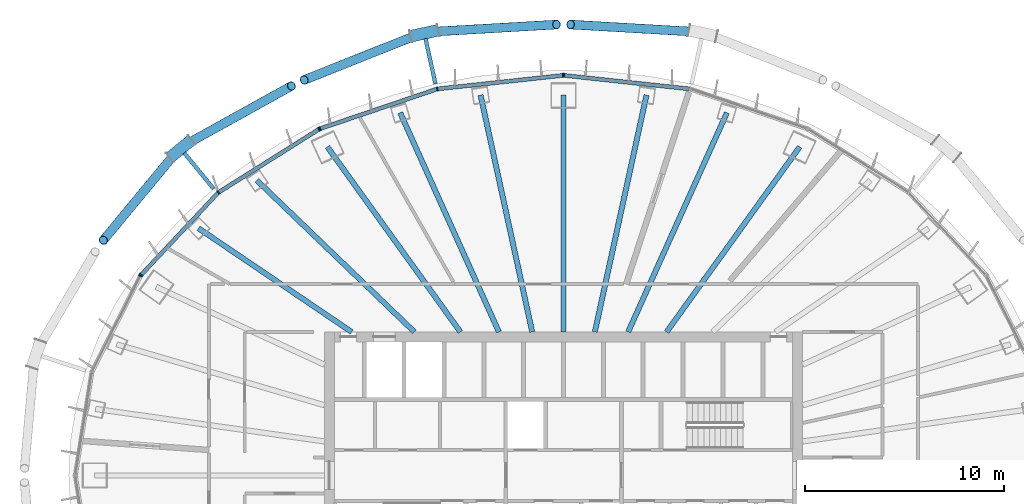
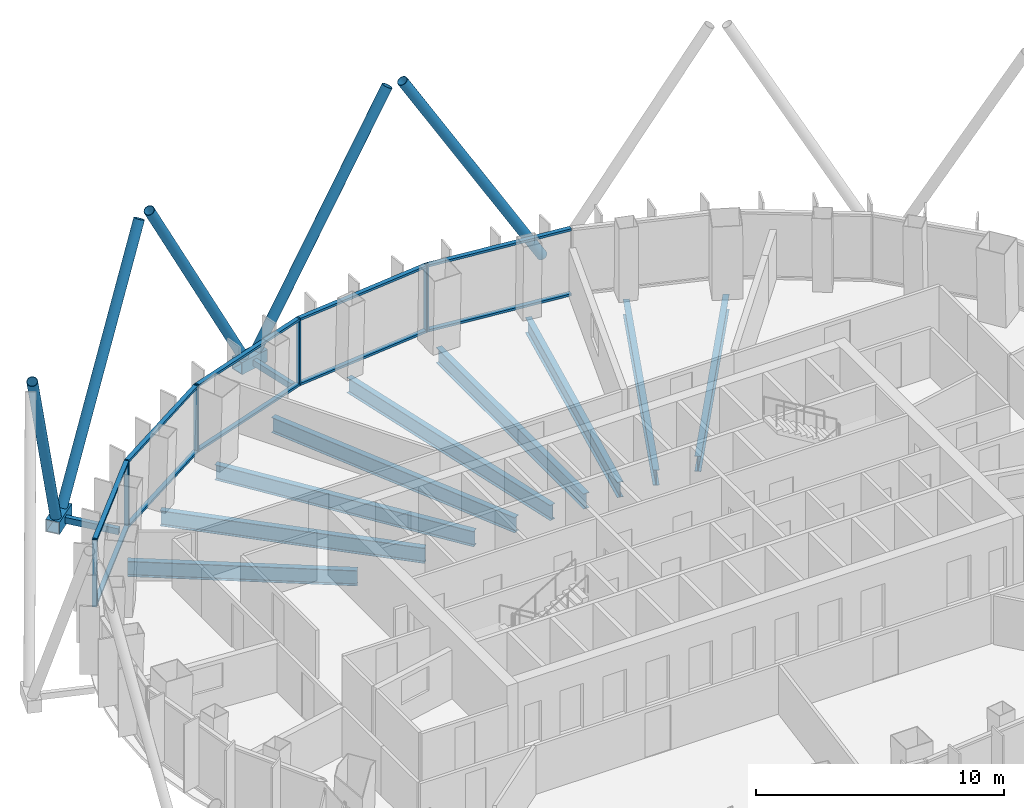
# One storey, part 5 of 18: 27 members, 9 beams, 4 elements without a shape of their own.
"""IFC4 building model written with IfcOpenShell, lengths in metres."""

from ifc_helpers import new_model, si_unit, direction, frame, origin, origin_2d, place, context, subcontext, project, spatial, rectangle, hollow_rectangle, hollow_circle, i_section, extrude, material, layer, layer_set, material_profile, profile_set, type_object, element, aggregate, save


model = new_model("IFC4")

# Units and contexts
model_context = context("Model", 3, precision=1e-05, world=origin(), true_north=direction((0.0, 1.0)))
body_context = subcontext(model_context, "Body", "Model", "MODEL_VIEW")
ifc_project = project(units=[si_unit("LENGTHUNIT", "METRE"), si_unit("AREAUNIT", "SQUARE_METRE"), si_unit("VOLUMEUNIT", "CUBIC_METRE"), si_unit("PLANEANGLEUNIT", "RADIAN"), si_unit("MASSUNIT", "GRAM", prefix="KILO")], contexts=[model_context])

# Site, building, storey
site_placement = place(None, origin())
site = spatial("IfcSite", under=ifc_project, at=site_placement, CompositionType="ELEMENT")
building_placement = place(site_placement, origin())
building = spatial("IfcBuilding", under=site, at=building_placement, Name="Siaravel Broadcast Tower", CompositionType="ELEMENT")
storey_placement = place(building_placement, frame((0.0, 0.0, 141.5)))
storey = spatial("IfcBuildingStorey", under=building, at=storey_placement, Name="L34", CompositionType="ELEMENT", Elevation=141.5)

# Beams
ifc_material_1 = material(Name="Steel S355", Category="steel")
ifc_material_profile_1 = material_profile(ifc_material_1, i_section(OverallWidth=0.26513671875, OverallDepth=0.75390625, WebThickness=0.0126953125, FlangeThickness=0.017578125, FilletRadius=0.0166015625, at=origin_2d()))
ifc_profile_set_1 = profile_set([ifc_material_profile_1], Name="Steel S355")
beam_type = type_object("IfcBeamType", Name="BM-UB 762x267x147", PredefinedType="BEAM", material=ifc_profile_set_1)
beam_1_placement = place(storey_placement, frame((11.852294921875, 16.488037109375, -0.52685546875), z_axis=(-0.58369058, -0.811976174, 0.0), x_axis=(0.811976174, -0.58369058, 0.0)))
element("IfcBeam", 1, at=beam_1_placement, inside=storey, type_object=beam_type, Name="Radial beam RB07", PredefinedType="BEAM", context=body_context, shape_type="SweptSolid", body=[
    extrude(i_section(OverallWidth=0.26513671875, OverallDepth=0.75390625, WebThickness=0.0126953125, FlangeThickness=0.017578125, FilletRadius=0.0166015625, at=origin_2d()), origin(), (0.0, 0.0, 1.0), 11.43896484375),
])
beam_2_placement = place(storey_placement, frame((8.200439453125, 18.202880859375, -0.52685546875), z_axis=(-0.410741495, -0.911751844, 0.0), x_axis=(0.911751844, -0.410741495, 0.0)))
element("IfcBeam", 2, at=beam_2_placement, inside=storey, type_object=beam_type, Name="Radial beam RB08", PredefinedType="BEAM", context=body_context, shape_type="SweptSolid", body=[
    extrude(i_section(OverallWidth=0.26513671875, OverallDepth=0.75390625, WebThickness=0.0126953125, FlangeThickness=0.017578125, FilletRadius=0.0166015625, at=origin_2d()), origin(), (0.0, 0.0, 1.0), 12.06787109375),
])
beam_3_placement = place(storey_placement, frame((4.165283203125, 19.08837890625, -0.52685546875), z_axis=(-0.213198415, -0.977008923, 0.0), x_axis=(0.977008923, -0.213198415, 0.0)))
element("IfcBeam", 3, at=beam_3_placement, inside=storey, type_object=beam_type, Name="Radial beam RB09", PredefinedType="BEAM", context=body_context, shape_type="SweptSolid", body=[
    extrude(i_section(OverallWidth=0.26513671875, OverallDepth=0.75390625, WebThickness=0.0126953125, FlangeThickness=0.017578125, FilletRadius=0.0166015625, at=origin_2d()), origin(), (0.0, 0.0, 1.0), 12.168212890625),
])
beam_4_placement = place(storey_placement, frame((0.0, 19.0869140625, -0.52685546875), z_axis=(0.0, -1.0, 0.0), x_axis=(1.0, 0.0, 0.0)))
element("IfcBeam", 4, at=beam_4_placement, inside=storey, type_object=beam_type, Name="Radial beam RB10", PredefinedType="BEAM", context=body_context, shape_type="SweptSolid", body=[
    extrude(i_section(OverallWidth=0.26513671875, OverallDepth=0.75390625, WebThickness=0.0126953125, FlangeThickness=0.017578125, FilletRadius=0.0166015625, at=origin_2d()), origin(), (0.0, 0.0, 1.0), 11.886962890625),
])
beam_5_placement = place(storey_placement, frame((-4.165283203125, 19.08837890625, -0.52685546875), z_axis=(0.213198415, -0.977008923, 0.0), x_axis=(0.977008923, 0.213198415, 0.0)))
element("IfcBeam", 5, at=beam_5_placement, inside=storey, type_object=beam_type, Name="Radial beam RB11", PredefinedType="BEAM", context=body_context, shape_type="SweptSolid", body=[
    extrude(i_section(OverallWidth=0.26513671875, OverallDepth=0.75390625, WebThickness=0.0126953125, FlangeThickness=0.017578125, FilletRadius=0.0166015625, at=origin_2d()), origin(), (0.0, 0.0, 1.0), 12.168212890625),
])
beam_6_placement = place(storey_placement, frame((-8.200439453125, 18.202880859375, -0.52685546875), z_axis=(0.410741495, -0.911751844, 0.0), x_axis=(0.911751844, 0.410741495, 0.0)))
element("IfcBeam", 6, at=beam_6_placement, inside=storey, type_object=beam_type, Name="Radial beam RB12", PredefinedType="BEAM", context=body_context, shape_type="SweptSolid", body=[
    extrude(i_section(OverallWidth=0.26513671875, OverallDepth=0.75390625, WebThickness=0.0126953125, FlangeThickness=0.017578125, FilletRadius=0.0166015625, at=origin_2d()), origin(), (0.0, 0.0, 1.0), 12.06787109375),
])
beam_7_placement = place(storey_placement, frame((-11.852294921875, 16.488037109375, -0.52685546875), z_axis=(0.58369058, -0.811976174, 0.0), x_axis=(0.811976174, 0.58369058, 0.0)))
element("IfcBeam", 7, at=beam_7_placement, inside=storey, type_object=beam_type, Name="Radial beam RB13", PredefinedType="BEAM", context=body_context, shape_type="SweptSolid", body=[
    extrude(i_section(OverallWidth=0.26513671875, OverallDepth=0.75390625, WebThickness=0.0126953125, FlangeThickness=0.017578125, FilletRadius=0.0166015625, at=origin_2d()), origin(), (0.0, 0.0, 1.0), 11.43896484375),
])
beam_8_placement = place(storey_placement, frame((-15.38818359375, 14.8046875, -0.52685546875), z_axis=(0.720630298, -0.693319532, 0.0), x_axis=(0.693319532, 0.720630298, 0.0)))
element("IfcBeam", 8, at=beam_8_placement, inside=storey, type_object=beam_type, Name="Radial beam RB14", PredefinedType="BEAM", context=body_context, shape_type="SweptSolid", body=[
    extrude(i_section(OverallWidth=0.26513671875, OverallDepth=0.75390625, WebThickness=0.0126953125, FlangeThickness=0.017578125, FilletRadius=0.0166015625, at=origin_2d()), origin(), (0.0, 0.0, 1.0), 10.968505859375),
])
beam_9_placement = place(storey_placement, frame((-18.3203125, 12.4033203125, -0.52685546875), z_axis=(0.828075469, -0.560616641, 0.0), x_axis=(0.560616641, 0.828075469, 0.0)))
element("IfcBeam", 9, at=beam_9_placement, inside=storey, type_object=beam_type, Name="Radial beam RB15", PredefinedType="BEAM", context=body_context, shape_type="SweptSolid", body=[
    extrude(i_section(OverallWidth=0.26513671875, OverallDepth=0.75390625, WebThickness=0.0126953125, FlangeThickness=0.017578125, FilletRadius=0.0166015625, at=origin_2d()), origin(), (0.0, 0.0, 1.0), 9.281494140625),
])

# Curtain wall, member
ifc_material_2 = material(Name="Aluminium 6063-T6", Category="aluminium")
ifc_layer = layer(ifc_material_2, 0.199951171875)
ifc_layer_set = layer_set([ifc_layer], Name="Aluminium 6063-T6")
curtain_wall_type = type_object("IfcCurtainWallType", Name="Unitised curtain wall, zone 2", PredefinedType="NOTDEFINED", material=ifc_layer_set)
curtain_wall_1_placement = place(storey_placement, origin())
curtain_wall_1 = element("IfcCurtainWall", 10, at=curtain_wall_1_placement, inside=storey, type_object=curtain_wall_type, Name="L34 Unitised curtain wall, zone 2 03", PredefinedType="NOTDEFINED")
ifc_material_profile_2 = material_profile(ifc_material_2, rectangle(XDim=0.199951171875, YDim=0.06494140625, at=origin_2d()))
ifc_profile_set_2 = profile_set([ifc_material_profile_2], Name="Aluminium 6063-T6")
member_type_1 = type_object("IfcMemberType", Name="CW-Z2 mullion", PredefinedType="MULLION", material=ifc_profile_set_2)
member_1_placement = place(storey_placement, frame((0.0322265625, 20.076171875, 0.0), z_axis=(0.0, 0.0, 1.0), x_axis=(-0.10721764, -0.994235575, 0.0)))
member_1 = element("IfcMember", 11, at=member_1_placement, type_object=member_type_1, Name="CW-Z2 mullion 3", PredefinedType="MULLION", context=body_context, shape_type="SweptSolid", body=[
    extrude(rectangle(XDim=0.199951171875, YDim=0.06494140625, at=origin_2d()), origin(), (0.0, 0.0, 1.0), 3.300048828125),
])

# Curtain wall, members
curtain_wall_2_placement = place(storey_placement, origin())
curtain_wall_2 = element("IfcCurtainWall", 12, at=curtain_wall_2_placement, inside=storey, type_object=curtain_wall_type, Name="L34 Unitised curtain wall, zone 2 04", PredefinedType="NOTDEFINED")
member_2_placement = place(storey_placement, frame((-0.0322265625, 20.076171875, 0.0), z_axis=(0.0, 0.0, 1.0), x_axis=(0.10721764, -0.994235575, 0.0)))
member_2 = element("IfcMember", 13, at=member_2_placement, type_object=member_type_1, Name="CW-Z2 mullion 1", PredefinedType="MULLION", context=body_context, shape_type="SweptSolid", body=[
    extrude(rectangle(XDim=0.199951171875, YDim=0.06494140625, at=origin_2d()), origin(), (0.0, 0.0, 1.0), 3.300048828125),
])
member_3_placement = place(storey_placement, frame((-6.339599609375, 19.39599609375, 0.0), z_axis=(0.0, 0.0, 1.0), x_axis=(0.215558352, -0.976490961, 0.0)))
member_3 = element("IfcMember", 14, at=member_3_placement, type_object=member_type_1, Name="CW-Z2 mullion 2", PredefinedType="MULLION", context=body_context, shape_type="SweptSolid", body=[
    extrude(rectangle(XDim=0.199951171875, YDim=0.06494140625, at=origin_2d()), origin(), (0.0, 0.0, 1.0), 3.300048828125),
])
member_4_placement = place(storey_placement, frame((-12.217041015625, 17.40185546875, 0.0), z_axis=(0.0, 0.0, 1.0), x_axis=(0.321301028, -0.946977111, 0.0)))
member_4 = element("IfcMember", 15, at=member_4_placement, type_object=member_type_1, Name="CW-Z2 mullion 3", PredefinedType="MULLION", context=body_context, shape_type="SweptSolid", body=[
    extrude(rectangle(XDim=0.199951171875, YDim=0.06494140625, at=origin_2d()), origin(), (0.0, 0.0, 1.0), 3.300048828125),
])

curtain_wall_3_placement = place(storey_placement, origin())
curtain_wall_3 = element("IfcCurtainWall", 16, at=curtain_wall_3_placement, inside=storey, type_object=curtain_wall_type, Name="L34 Unitised curtain wall, zone 2 05", PredefinedType="NOTDEFINED")
member_5_placement = place(storey_placement, frame((-12.275390625, 17.3740234375, 0.0), z_axis=(0.0, 0.0, 1.0), x_axis=(0.532149741, -0.846650254, 0.0)))
member_5 = element("IfcMember", 17, at=member_5_placement, type_object=member_type_1, Name="CW-Z2 mullion 1", PredefinedType="MULLION", context=body_context, shape_type="SweptSolid", body=[
    extrude(rectangle(XDim=0.199951171875, YDim=0.06494140625, at=origin_2d()), origin(), (0.0, 0.0, 1.0), 3.300048828125),
])
member_6_placement = place(storey_placement, frame((-17.322509765625, 14.20166015625, 0.0), z_axis=(0.0, 0.0, 1.0), x_axis=(0.636219116, -0.771508416, 0.0)))
member_6 = element("IfcMember", 18, at=member_6_placement, type_object=member_type_1, Name="CW-Z2 mullion 2", PredefinedType="MULLION", context=body_context, shape_type="SweptSolid", body=[
    extrude(rectangle(XDim=0.199951171875, YDim=0.06494140625, at=origin_2d()), origin(), (0.0, 0.0, 1.0), 3.300048828125),
])
member_7_placement = place(storey_placement, frame((-21.1953125, 10.0673828125, 0.0), z_axis=(0.0, 0.0, 1.0), x_axis=(0.72980568, -0.683654642, 0.0)))
member_7 = element("IfcMember", 19, at=member_7_placement, type_object=member_type_1, Name="CW-Z2 mullion 3", PredefinedType="MULLION", context=body_context, shape_type="SweptSolid", body=[
    extrude(rectangle(XDim=0.199951171875, YDim=0.06494140625, at=origin_2d()), origin(), (0.0, 0.0, 1.0), 3.300048828125),
])

# Curtain wall, member
curtain_wall_4_placement = place(storey_placement, origin())
curtain_wall_4 = element("IfcCurtainWall", 20, at=curtain_wall_4_placement, inside=storey, type_object=curtain_wall_type, Name="L34 Unitised curtain wall, zone 2 06", PredefinedType="NOTDEFINED")
member_8_placement = place(storey_placement, frame((-21.232421875, 10.0146484375, 0.0), z_axis=(0.0, 0.0, 1.0), x_axis=(0.89239231, -0.451260419, 0.0)))
member_8 = element("IfcMember", 21, at=member_8_placement, type_object=member_type_1, Name="CW-Z2 mullion 1", PredefinedType="MULLION", context=body_context, shape_type="SweptSolid", body=[
    extrude(rectangle(XDim=0.199951171875, YDim=0.06494140625, at=origin_2d()), origin(), (0.0, 0.0, 1.0), 3.300048828125),
])
aggregate(curtain_wall_4, [member_8])

# Member
ifc_material_profile_3 = material_profile(ifc_material_2, rectangle(XDim=0.199951171875, YDim=0.110107421875, at=origin_2d()))
ifc_profile_set_3 = profile_set([ifc_material_profile_3], Name="Aluminium 6063-T6")
member_type_2 = type_object("IfcMemberType", Name="CW-Z2 transom", PredefinedType="USERDEFINED", material=ifc_profile_set_3)
member_9_placement = place(storey_placement, frame((6.307373046875, 19.3994140625, 0.054931640625), z_axis=(-0.99423744, 0.107200337, 0.0), x_axis=(-0.107200337, -0.99423744, 0.0)))
member_9 = element("IfcMember", 22, at=member_9_placement, type_object=member_type_2, Name="CW-Z2 transom 2", ObjectType="TRANSOM", PredefinedType="USERDEFINED", context=body_context, shape_type="SweptSolid", body=[
    extrude(rectangle(XDim=0.199951171875, YDim=0.110107421875, at=origin_2d()), origin(), (0.0, 0.0, 1.0), 6.27880859375),
])

member_10_placement = place(storey_placement, frame((6.307373046875, 19.3994140625, 3.2451171875), z_axis=(-0.99423744, 0.107200337, 0.0), x_axis=(-0.107200337, -0.99423744, 0.0)))
member_10 = element("IfcMember", 23, at=member_10_placement, type_object=member_type_2, Name="CW-Z2 transom 2", ObjectType="TRANSOM", PredefinedType="USERDEFINED", context=body_context, shape_type="SweptSolid", body=[
    extrude(rectangle(XDim=0.199951171875, YDim=0.110107421875, at=origin_2d()), origin(), (0.0, 0.0, 1.0), 6.27880859375),
])

aggregate(curtain_wall_1, [member_1, member_9, member_10])

member_11_placement = place(storey_placement, frame((-0.064697265625, 20.072509765625, 0.054931640625), z_axis=(-0.99423744, -0.107200337, 0.0), x_axis=(0.107200337, -0.99423744, 0.0)))
member_11 = element("IfcMember", 24, at=member_11_placement, type_object=member_type_2, Name="CW-Z2 transom 1", ObjectType="TRANSOM", PredefinedType="USERDEFINED", context=body_context, shape_type="SweptSolid", body=[
    extrude(rectangle(XDim=0.199951171875, YDim=0.110107421875, at=origin_2d()), origin(), (0.0, 0.0, 1.0), 6.27880859375),
])

member_12_placement = place(storey_placement, frame((-0.064697265625, 20.072509765625, 3.2451171875), z_axis=(-0.99423744, -0.107200337, 0.0), x_axis=(0.107200337, -0.99423744, 0.0)))
member_12 = element("IfcMember", 25, at=member_12_placement, type_object=member_type_2, Name="CW-Z2 transom 1", ObjectType="TRANSOM", PredefinedType="USERDEFINED", context=body_context, shape_type="SweptSolid", body=[
    extrude(rectangle(XDim=0.199951171875, YDim=0.110107421875, at=origin_2d()), origin(), (0.0, 0.0, 1.0), 6.27880859375),
])

member_13_placement = place(storey_placement, frame((-6.370361328125, 19.385498046875, 0.054931640625), z_axis=(-0.946972221, -0.321315442, 0.0), x_axis=(0.321315442, -0.946972221, 0.0)))
member_13 = element("IfcMember", 26, at=member_13_placement, type_object=member_type_2, Name="CW-Z2 transom 2", ObjectType="TRANSOM", PredefinedType="USERDEFINED", context=body_context, shape_type="SweptSolid", body=[
    extrude(rectangle(XDim=0.199951171875, YDim=0.110107421875, at=origin_2d()), origin(), (0.0, 0.0, 1.0), 6.1416015625),
])

member_14_placement = place(storey_placement, frame((-6.370361328125, 19.385498046875, 3.2451171875), z_axis=(-0.946972221, -0.321315442, 0.0), x_axis=(0.321315442, -0.946972221, 0.0)))
member_14 = element("IfcMember", 27, at=member_14_placement, type_object=member_type_2, Name="CW-Z2 transom 2", ObjectType="TRANSOM", PredefinedType="USERDEFINED", context=body_context, shape_type="SweptSolid", body=[
    extrude(rectangle(XDim=0.199951171875, YDim=0.110107421875, at=origin_2d()), origin(), (0.0, 0.0, 1.0), 6.1416015625),
])

aggregate(curtain_wall_2, [member_2, member_3, member_4, member_11, member_12, member_13, member_14])

member_15_placement = place(storey_placement, frame((-12.302734375, 17.356689453125, 0.054931640625), z_axis=(-0.846655737, -0.532141018, 0.0), x_axis=(0.532141018, -0.846655737, 0.0)))
member_15 = element("IfcMember", 28, at=member_15_placement, type_object=member_type_2, Name="CW-Z2 transom 1", ObjectType="TRANSOM", PredefinedType="USERDEFINED", context=body_context, shape_type="SweptSolid", body=[
    extrude(rectangle(XDim=0.199951171875, YDim=0.110107421875, at=origin_2d()), origin(), (0.0, 0.0, 1.0), 5.896240234375),
])

member_16_placement = place(storey_placement, frame((-12.302734375, 17.356689453125, 3.2451171875), z_axis=(-0.846655737, -0.532141018, 0.0), x_axis=(0.532141018, -0.846655737, 0.0)))
member_16 = element("IfcMember", 29, at=member_16_placement, type_object=member_type_2, Name="CW-Z2 transom 1", ObjectType="TRANSOM", PredefinedType="USERDEFINED", context=body_context, shape_type="SweptSolid", body=[
    extrude(rectangle(XDim=0.199951171875, YDim=0.110107421875, at=origin_2d()), origin(), (0.0, 0.0, 1.0), 5.896240234375),
])

member_17_placement = place(storey_placement, frame((-17.344482421875, 14.177978515625, 0.054931640625), z_axis=(-0.683668449, -0.729792746, 0.0), x_axis=(0.729792746, -0.683668449, 0.0)))
member_17 = element("IfcMember", 30, at=member_17_placement, type_object=member_type_2, Name="CW-Z2 transom 2", ObjectType="TRANSOM", PredefinedType="USERDEFINED", context=body_context, shape_type="SweptSolid", body=[
    extrude(rectangle(XDim=0.199951171875, YDim=0.110107421875, at=origin_2d()), origin(), (0.0, 0.0, 1.0), 5.60009765625),
])

member_18_placement = place(storey_placement, frame((-17.344482421875, 14.177978515625, 3.2451171875), z_axis=(-0.683668449, -0.729792746, 0.0), x_axis=(0.729792746, -0.683668449, 0.0)))
member_18 = element("IfcMember", 31, at=member_18_placement, type_object=member_type_2, Name="CW-Z2 transom 2", ObjectType="TRANSOM", PredefinedType="USERDEFINED", context=body_context, shape_type="SweptSolid", body=[
    extrude(rectangle(XDim=0.199951171875, YDim=0.110107421875, at=origin_2d()), origin(), (0.0, 0.0, 1.0), 5.60009765625),
])

aggregate(curtain_wall_3, [member_5, member_6, member_7, member_15, member_16, member_17, member_18])

# Members
ifc_material_3 = material(Name="Steel S460", Category="steel")
ifc_material_profile_4 = material_profile(ifc_material_3, hollow_circle(Radius=0.228515625, WallThickness=0.02001953125, at=origin_2d()))
ifc_profile_set_4 = profile_set([ifc_material_profile_4], Name="Steel S460")
member_type_3 = type_object("IfcMemberType", Name="Diagrid diagonal CHS 457x20", PredefinedType="BRACE", material=ifc_profile_set_4)
for number, where, z_axis, x_axis, name in (
    (32, (6.642333984375, 22.265869140625, 0.070068359375), (-0.511584933, 0.029581712, 0.858723343), (-0.05772723, -0.998332393, 0.0), "Diagrid diagonal R14 station 15A"),
    (33, (-6.642333984375, 22.265869140625, 0.070068359375), (0.511584933, 0.029581712, 0.858723343), (-0.05772723, 0.998332393, 0.0), "Diagrid diagonal R14 station 21C"),
):
    element("IfcMember", number, at=place(storey_placement, frame(where, z_axis=z_axis, x_axis=x_axis)), inside=storey, type_object=member_type_3, Name=name, PredefinedType="BRACE", context=body_context, shape_type="SweptSolid", body=[
        extrude(hollow_circle(Radius=0.228515625, WallThickness=0.02001953125, at=origin_2d()), origin(), (0.0, 0.0, 1.0), 12.297119140625),
    ])
member_19_placement = place(storey_placement, frame((-7.328857421875, 22.115234375, 0.070068359375), z_axis=(-0.466182885, -0.185817234, 0.864954029), x_axis=(0.370263678, -0.928926697, 0.0)))
element("IfcMember", 34, at=member_19_placement, inside=storey, type_object=member_type_3, Name="Diagrid diagonal R14 station 21A", PredefinedType="BRACE", context=body_context, shape_type="SweptSolid", body=[
    extrude(hollow_circle(Radius=0.228515625, WallThickness=0.02001953125, at=origin_2d()), origin(), (0.0, 0.0, 1.0), 12.20849609375),
])
member_20_placement = place(storey_placement, frame((-18.93798828125, 16.61962890625, 0.070068359375), z_axis=(0.434245628, 0.240594195, 0.868069795), x_axis=(-0.484636897, 0.874715427, 0.0)))
element("IfcMember", 35, at=member_20_placement, inside=storey, type_object=member_type_3, Name="Diagrid diagonal R14 station 27C", PredefinedType="BRACE", context=body_context, shape_type="SweptSolid", body=[
    extrude(hollow_circle(Radius=0.228515625, WallThickness=0.02001953125, at=origin_2d()), origin(), (0.0, 0.0, 1.0), 12.164794921875),
])
member_21_placement = place(storey_placement, frame((-19.481689453125, 16.17431640625, 0.070068359375), z_axis=(-0.301770729, -0.364878056, 0.880794205), x_axis=(0.770598967, -0.637320353, 0.0)))
element("IfcMember", 36, at=member_21_placement, inside=storey, type_object=member_type_3, Name="Diagrid diagonal R14 station 27A", PredefinedType="BRACE", context=body_context, shape_type="SweptSolid", body=[
    extrude(hollow_circle(Radius=0.228515625, WallThickness=0.02001953125, at=origin_2d()), origin(), (0.0, 0.0, 1.0), 11.989013671875),
])
ifc_material_profile_5 = material_profile(ifc_material_3, hollow_rectangle(XDim=0.60009765625, YDim=0.60009765625, WallThickness=0.0400390625, at=origin_2d()))
ifc_profile_set_5 = profile_set([ifc_material_profile_5], Name="Steel S460")
member_type_4 = type_object("IfcMemberType", Name="Diagrid node BOX 600x600x40", PredefinedType="USERDEFINED", material=ifc_profile_set_5)
for number, where, z_axis, x_axis, name in (
    (37, (-6.302001953125, 22.340576171875, -0.199951171875), (-0.976754142, -0.21436265, 0.0), (0.21436265, -0.976754142, 0.0), "Diagrid node R14 station 21"),
    (38, (-18.66845703125, 16.840576171875, -0.199951171875), (-0.773584133, -0.633693609, 0.0), (0.633693609, -0.773584133, 0.0), "Diagrid node R14 station 27"),
):
    element("IfcMember", number, at=place(storey_placement, frame(where, z_axis=z_axis, x_axis=x_axis)), inside=storey, type_object=member_type_4, Name=name, ObjectType="DIAGRID NODE", PredefinedType="USERDEFINED", context=body_context, shape_type="SweptSolid", body=[
        extrude(hollow_rectangle(XDim=0.60009765625, YDim=0.60009765625, WallThickness=0.0400390625, at=origin_2d()), origin(), (0.0, 0.0, 1.0), 1.399658203125),
    ])
ifc_material_profile_6 = material_profile(ifc_material_3, hollow_rectangle(XDim=0.199951171875, YDim=0.300048828125, WallThickness=0.012451171875, at=origin_2d()))
ifc_profile_set_6 = profile_set([ifc_material_profile_6], Name="Steel S460")
member_type_5 = type_object("IfcMemberType", Name="Diagrid node arm RHS 300x200x12.5", PredefinedType="STRUT", material=ifc_profile_set_6)
for number, where, z_axis, x_axis, name in (
    (39, (-6.42822265625, 19.651123046875, -0.199951171875), (-0.214378037, 0.976750765, 0.0), (-0.976750765, -0.214378037, 0.0), "Node arm R14 station 21"),
    (40, (-17.562255859375, 14.385498046875, -0.199951171875), (-0.633699844, 0.773579025, 0.0), (-0.773579025, -0.633699844, 0.0), "Node arm R14 station 27"),
):
    element("IfcMember", number, at=place(storey_placement, frame(where, z_axis=z_axis, x_axis=x_axis)), inside=storey, type_object=member_type_5, Name=name, PredefinedType="STRUT", context=body_context, shape_type="SweptSolid", body=[
        extrude(hollow_rectangle(XDim=0.199951171875, YDim=0.300048828125, WallThickness=0.012451171875, at=origin_2d()), origin(), (0.0, 0.0, 1.0), 2.330078125),
    ])

save(model, "model.ifc")
